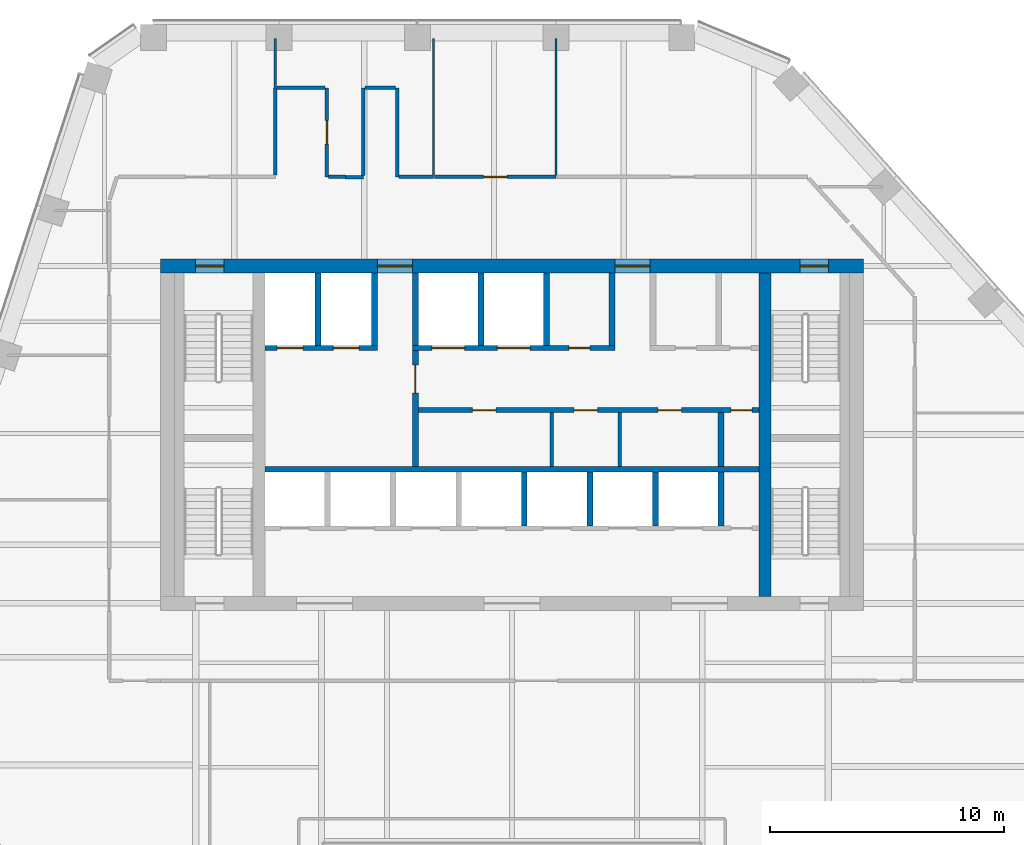
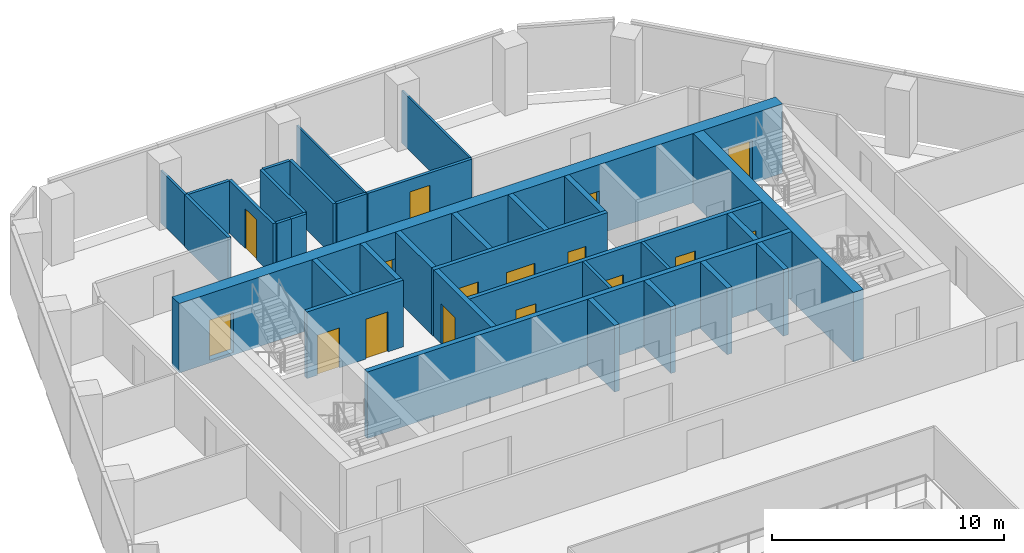
# One storey, part 10 of 15: 33 walls, 16 doors, 16 openings.
"""IFC4 building model written with IfcOpenShell, lengths in metres."""

from ifc_helpers import new_model, si_unit, direction, frame, frame_2d, origin, place, context, subcontext, project, spatial, rectangle, extrude, material, layer, layer_set, type_object, element, fill, save


model = new_model("IFC4")

# Units and contexts
model_context = context("Model", 3, precision=1e-05, world=origin(), true_north=direction((0.0, 1.0)))
body_context = subcontext(model_context, "Body", "Model", "MODEL_VIEW")
ifc_project = project(units=[si_unit("LENGTHUNIT", "METRE"), si_unit("AREAUNIT", "SQUARE_METRE"), si_unit("VOLUMEUNIT", "CUBIC_METRE"), si_unit("PLANEANGLEUNIT", "RADIAN"), si_unit("MASSUNIT", "GRAM", prefix="KILO")], contexts=[model_context])

# Site, building, storey
site_placement = place(None, origin())
site = spatial("IfcSite", under=ifc_project, at=site_placement, CompositionType="ELEMENT")
building_placement = place(site_placement, origin())
building = spatial("IfcBuilding", under=site, at=building_placement, Name="Isthmus Gate Tower", CompositionType="ELEMENT")
storey_placement = place(building_placement, frame((0.0, 0.0, 227.25)))
storey = spatial("IfcBuildingStorey", under=building, at=storey_placement, Name="L57", CompositionType="ELEMENT", Elevation=227.25)

# Wall, opening, door
ifc_material_1 = material(Name="Gypsum board on steel studs, fire-rated", Category="steel")
ifc_layer_1 = layer(ifc_material_1, 0.14990234375)
ifc_layer_set_1 = layer_set([ifc_layer_1], Name="CORRIDOR WALL 150 60 MIN")
wall_type_1 = type_object("IfcWallType", Name="CORRIDOR WALL 150 60 MIN", PredefinedType="PARTITIONING", material=ifc_layer_set_1)
wall_1_placement = place(storey_placement, frame((-7.89990234375, 22.300048828125, 0.0), z_axis=(0.0, 0.0, 1.0), x_axis=(0.0, -1.0, 0.0)))
wall_1 = element("IfcWall", 1, at=wall_1_placement, inside=storey, type_object=wall_type_1, Name="L57 Corridor Wall 150 60 Min", PredefinedType="PARTITIONING", context=body_context, shape_type="SweptSolid", body=[
    extrude(rectangle(XDim=3.800048828125, YDim=0.14990234375, at=frame_2d((1.89990234375, 0.0))), origin(), (0.0, 0.0, 1.0), 2.750732421875),
])
opening_1_placement = place(wall_1_placement, frame((1.39990234375, 0.0, 0.0)))
opening_1 = element("IfcOpeningElement", 2, at=opening_1_placement, cuts=wall_1, Name="Opening DT-T5B-02", PredefinedType="OPENING", context=body_context, shape_type="SweptSolid", body=[
    extrude(rectangle(XDim=1.0, YDim=2.10009765625, at=frame_2d((0.5, 1.050048828125))), frame((0.0, 0.0849609375, 0.0), z_axis=(0.0, -1.0, 0.0), x_axis=(1.0, 0.0, 0.0)), (0.0, 0.0, 1.0), 0.169921875),
])
ifc_material_2 = material(Name="Solid core timber door leaf, fire-rated", Category="wood")
door_type_1 = type_object("IfcDoorType", Name="FIRE DOOR ROOM 1000 X 2100 60 MIN", OperationType="SINGLE_SWING_LEFT", PredefinedType="DOOR", material=ifc_material_2)
door_1_placement = place(opening_1_placement, origin())
door_1 = element("IfcDoor", 3, at=door_1_placement, inside=storey, type_object=door_type_1, Name="L57 room door", OperationType="SINGLE_SWING_RIGHT", OverallHeight=2.10009765625, OverallWidth=1.0, PredefinedType="DOOR", context=body_context, shape_type="SweptSolid", body=[
    extrude(rectangle(XDim=1.0, YDim=2.10009765625, at=frame_2d((0.5, 1.050048828125))), frame((0.0, 0.02490234375, 0.0), z_axis=(0.0, -1.0, 0.0), x_axis=(1.0, 0.0, 0.0)), (0.0, 0.0, 1.0), 0.050048828125),
])
fill(opening_1, door_1)

# Walls
wall_2_placement = place(storey_placement, frame((-4.89990234375, 22.300048828125, 0.0), z_axis=(0.0, 0.0, 1.0), x_axis=(0.0, -1.0, 0.0)))
element("IfcWall", 4, at=wall_2_placement, inside=storey, type_object=wall_type_1, Name="L57 Corridor Wall 150 60 Min", PredefinedType="PARTITIONING", context=body_context, shape_type="SweptSolid", body=[
    extrude(rectangle(XDim=3.800048828125, YDim=0.14990234375, at=frame_2d((1.89990234375, 0.0))), origin(), (0.0, 0.0, 1.0), 2.750732421875),
])
wall_3_placement = place(storey_placement, frame((-10.10009765625, 18.574951171875, 0.0), z_axis=(0.0, 0.0, 1.0), x_axis=(0.0, 1.0, 0.0)))
element("IfcWall", 5, at=wall_3_placement, inside=storey, type_object=wall_type_1, Name="L57 Corridor Wall 150 60 Min", PredefinedType="PARTITIONING", context=body_context, shape_type="SweptSolid", body=[
    extrude(rectangle(XDim=3.72509765625, YDim=0.14990234375, at=frame_2d((1.862548828125, 0.0))), origin(), (0.0, 0.0, 1.0), 2.750732421875),
])
wall_4_placement = place(storey_placement, frame((-10.02490234375, 22.300048828125, 0.0), z_axis=(0.0, 0.0, 1.0), x_axis=(1.0, 0.0, 0.0)))
element("IfcWall", 6, at=wall_4_placement, inside=storey, type_object=wall_type_1, Name="L57 Corridor Wall 150 60 Min", PredefinedType="PARTITIONING", context=body_context, shape_type="SweptSolid", body=[
    extrude(rectangle(XDim=2.0498046875, YDim=0.14990234375, at=frame_2d((1.02490234375, 0.0))), origin(), (0.0, 0.0, 1.0), 2.750732421875),
])
wall_5_placement = place(storey_placement, frame((-7.824951171875, 18.5, 0.0), z_axis=(0.0, 0.0, 1.0), x_axis=(1.0, 0.0, 0.0)))
element("IfcWall", 7, at=wall_5_placement, inside=storey, type_object=wall_type_1, Name="L57 Corridor Wall 150 60 Min", PredefinedType="PARTITIONING", context=body_context, shape_type="SweptSolid", body=[
    extrude(rectangle(XDim=0.722900390625, YDim=0.14990234375, at=frame_2d((0.361328125, 0.0))), origin(), (0.0, 0.0, 1.0), 2.750732421875),
])
wall_6_placement = place(storey_placement, frame((-7.10205078125, 18.498046875, 0.0), z_axis=(0.0, 0.0, 1.0), x_axis=(1.0, 0.0, 0.0)))
element("IfcWall", 8, at=wall_6_placement, inside=storey, type_object=wall_type_1, Name="L57 Corridor Wall 150 60 Min", PredefinedType="PARTITIONING", context=body_context, shape_type="SweptSolid", body=[
    extrude(rectangle(XDim=0.754150390625, YDim=0.14990234375, at=frame_2d((0.376953125, 0.0))), origin(), (0.0, 0.0, 1.0), 2.750732421875),
])
wall_7_placement = place(storey_placement, frame((-6.347900390625, 18.572998046875, 0.0), z_axis=(0.0, 0.0, 1.0), x_axis=(0.0, 1.0, 0.0)))
element("IfcWall", 9, at=wall_7_placement, inside=storey, type_object=wall_type_1, Name="L57 Corridor Wall 150 60 Min", PredefinedType="PARTITIONING", context=body_context, shape_type="SweptSolid", body=[
    extrude(rectangle(XDim=3.72705078125, YDim=0.14990234375, at=frame_2d((1.863525390625, 0.0))), origin(), (0.0, 0.0, 1.0), 2.750732421875),
])
wall_8_placement = place(storey_placement, frame((-6.27294921875, 22.300048828125, 0.0), z_axis=(0.0, 0.0, 1.0), x_axis=(1.0, 0.0, 0.0)))
element("IfcWall", 10, at=wall_8_placement, inside=storey, type_object=wall_type_1, Name="L57 Corridor Wall 150 60 Min", PredefinedType="PARTITIONING", context=body_context, shape_type="SweptSolid", body=[
    extrude(rectangle(XDim=1.2978515625, YDim=0.14990234375, at=frame_2d((0.64892578125, 0.0))), origin(), (0.0, 0.0, 1.0), 2.750732421875),
])
wall_9_placement = place(storey_placement, frame((-4.824951171875, 18.5, 0.0), z_axis=(0.0, 0.0, 1.0), x_axis=(1.0, 0.0, 0.0)))
element("IfcWall", 11, at=wall_9_placement, inside=storey, type_object=wall_type_1, Name="L57 Corridor Wall 150 60 Min", PredefinedType="PARTITIONING", context=body_context, shape_type="SweptSolid", body=[
    extrude(rectangle(XDim=1.474853515625, YDim=0.14990234375, at=frame_2d((0.7373046875, 0.0))), origin(), (0.0, 0.0, 1.0), 2.750732421875),
])

# Wall, opening, door
wall_10_placement = place(storey_placement, frame((-3.300048828125, 18.5, 0.0), z_axis=(0.0, 0.0, 1.0), x_axis=(1.0, 0.0, 0.0)))
wall_10 = element("IfcWall", 12, at=wall_10_placement, inside=storey, type_object=wall_type_1, Name="L57 Corridor Wall 150 60 Min", PredefinedType="PARTITIONING", context=body_context, shape_type="SweptSolid", body=[
    extrude(rectangle(XDim=5.18115234375, YDim=0.14990234375, at=frame_2d((2.590576171875, 0.0))), origin(), (0.0, 0.0, 1.0), 2.750732421875),
])
opening_2_placement = place(wall_10_placement, frame((2.090576171875, 0.0, 0.0)))
opening_2 = element("IfcOpeningElement", 13, at=opening_2_placement, cuts=wall_10, Name="Opening DT-T5B-03", PredefinedType="OPENING", context=body_context, shape_type="SweptSolid", body=[
    extrude(rectangle(XDim=1.0, YDim=2.10009765625, at=frame_2d((0.5, 1.050048828125))), frame((0.0, 0.0849609375, 0.0), z_axis=(0.0, -1.0, 0.0), x_axis=(1.0, 0.0, 0.0)), (0.0, 0.0, 1.0), 0.169921875),
])
door_2_placement = place(opening_2_placement, origin())
door_2 = element("IfcDoor", 14, at=door_2_placement, inside=storey, type_object=door_type_1, Name="L57 room door", OperationType="SINGLE_SWING_RIGHT", OverallHeight=2.10009765625, OverallWidth=1.0, PredefinedType="DOOR", context=body_context, shape_type="SweptSolid", body=[
    extrude(rectangle(XDim=1.0, YDim=2.10009765625, at=frame_2d((0.5, 1.050048828125))), frame((0.0, 0.02490234375, 0.0), z_axis=(0.0, -1.0, 0.0), x_axis=(1.0, 0.0, 0.0)), (0.0, 0.0, 1.0), 0.050048828125),
])
fill(opening_2, door_2)

ifc_material_3 = material(Name="Fire-rated blockwork masonry, 15 MPa", Category="masonry")
ifc_layer_2 = layer(ifc_material_3, 0.25)
ifc_layer_set_2 = layer_set([ifc_layer_2], Name="FIRE-FIGHTING LOBBY WALL 250 90 MIN")
wall_type_2 = type_object("IfcWallType", Name="FIRE-FIGHTING LOBBY WALL 250 90 MIN", PredefinedType="PARTITIONING", material=ifc_layer_set_2)
wall_11_placement = place(storey_placement, frame((-4.125, 6.14990234375, 0.0), z_axis=(0.0, 0.0, 1.0), x_axis=(0.0, 1.0, 0.0)))
wall_11 = element("IfcWall", 15, at=wall_11_placement, inside=storey, type_object=wall_type_2, Name="L57 FIRE-FIGHTING LOBBY WALL 250 90 MIN", PredefinedType="PARTITIONING", context=body_context, shape_type="SweptSolid", body=[
    extrude(rectangle(XDim=4.9501953125, YDim=0.25, at=frame_2d((2.47509765625, 0.0))), origin(), (0.0, 0.0, 1.0), 3.5),
])
opening_3_placement = place(wall_11_placement, frame((3.125, 0.0, 0.0)))
opening_3 = element("IfcOpeningElement", 16, at=opening_3_placement, cuts=wall_11, Name="Opening DC-A19-01", PredefinedType="OPENING", context=body_context, shape_type="SweptSolid", body=[
    extrude(rectangle(XDim=1.199951171875, YDim=2.10009765625, at=frame_2d((0.60009765625, 1.050048828125))), frame((0.0, 0.135009765625, 0.0), z_axis=(0.0, -1.0, 0.0), x_axis=(1.0, 0.0, 0.0)), (0.0, 0.0, 1.0), 0.27001953125),
])
ifc_material_4 = material(Name="Steel door leaf, fire-rated", Category="steel")
door_type_2 = type_object("IfcDoorType", Name="LOBBY FIRE DOOR 1200 X 2100 90 MIN", OperationType="DOUBLE_DOOR_SINGLE_SWING", PredefinedType="DOOR", material=ifc_material_4)
door_3_placement = place(opening_3_placement, origin())
door_3 = element("IfcDoor", 17, at=door_3_placement, inside=storey, type_object=door_type_2, Name="Fire-fighting Lobby Door", OperationType="SINGLE_SWING_LEFT", OverallHeight=2.10009765625, OverallWidth=1.199951171875, PredefinedType="DOOR", context=body_context, shape_type="SweptSolid", body=[
    extrude(rectangle(XDim=1.199951171875, YDim=2.10009765625, at=frame_2d((0.60009765625, 1.050048828125))), frame((0.0, 0.02490234375, 0.0), z_axis=(0.0, -1.0, 0.0), x_axis=(1.0, 0.0, 0.0)), (0.0, 0.0, 1.0), 0.050048828125),
])
fill(opening_3, door_3)

# Wall
ifc_material_5 = material(Name="Concrete f'c 50 MPa", Category="concrete")
ifc_layer_3 = layer(ifc_material_5, 0.5)
ifc_layer_set_3 = layer_set([ifc_layer_3], Name="RC CORE SPINE WALL 500 F'C 50")
wall_type_3 = type_object("IfcWallType", Name="RC CORE SPINE WALL 500 F'C 50", PredefinedType="SOLIDWALL", material=ifc_layer_set_3)
wall_12_placement = place(storey_placement, frame((10.800048828125, 0.60009765625, -0.14990234375), z_axis=(0.0, 0.0, 1.0), x_axis=(0.0, 1.0, 0.0)))
element("IfcWall", 18, at=wall_12_placement, inside=storey, type_object=wall_type_3, Name="str-corewall-L57-SPE", PredefinedType="SOLIDWALL", context=body_context, shape_type="SweptSolid", body=[
    extrude(rectangle(XDim=13.7998046875, YDim=0.5, at=frame_2d((6.89990234375, 0.0))), origin(), (0.0, 0.0, 1.0), 3.64990234375),
])

# Wall, openings, doors
ifc_material_6 = material(Name="Concrete f'c 50 MPa", Category="concrete")
ifc_layer_4 = layer(ifc_material_6, 0.60009765625)
ifc_layer_set_4 = layer_set([ifc_layer_4], Name="RC CORE WALL 600 F'C 50")
wall_type_4 = type_object("IfcWallType", Name="RC CORE WALL 600 F'C 50", PredefinedType="SOLIDWALL", material=ifc_layer_set_4)
wall_13_placement = place(storey_placement, frame((-15.0, 14.699951171875, -0.14990234375), z_axis=(0.0, 0.0, 1.0), x_axis=(1.0, 0.0, 0.0)))
wall_13 = element("IfcWall", 19, at=wall_13_placement, inside=storey, type_object=wall_type_4, Name="str-corewall-L57-N", PredefinedType="SOLIDWALL", context=body_context, shape_type="SweptSolid", body=[
    extrude(rectangle(XDim=30.0, YDim=0.60009765625, at=frame_2d((15.0, 0.0))), origin(), (0.0, 0.0, 1.0), 3.64990234375),
])
opening_4_placement = place(wall_13_placement, frame((9.25, 0.0, 0.14990234375)))
opening_4 = element("IfcOpeningElement", 20, at=opening_4_placement, cuts=wall_13, Name="Opening DC-A19-13", PredefinedType="OPENING", context=body_context, shape_type="SweptSolid", body=[
    extrude(rectangle(XDim=1.5, YDim=2.10009765625, at=frame_2d((0.75, 1.050048828125))), frame((0.0, 0.31005859375, 0.0), z_axis=(0.0, -1.0, 0.0), x_axis=(1.0, 0.0, 0.0)), (0.0, 0.0, 1.0), 0.6201171875),
])
opening_5_placement = place(wall_13_placement, frame((19.39990234375, 0.0, 0.14990234375)))
opening_5 = element("IfcOpeningElement", 21, at=opening_5_placement, cuts=wall_13, Name="Opening DC-A19-14", PredefinedType="OPENING", context=body_context, shape_type="SweptSolid", body=[
    extrude(rectangle(XDim=1.5, YDim=2.10009765625, at=frame_2d((0.75, 1.050048828125))), frame((0.0, 0.31005859375, 0.0), z_axis=(0.0, -1.0, 0.0), x_axis=(1.0, 0.0, 0.0)), (0.0, 0.0, 1.0), 0.6201171875),
])
opening_6_placement = place(wall_13_placement, frame((1.5, 0.0, 0.14990234375)))
opening_6 = element("IfcOpeningElement", 22, at=opening_6_placement, cuts=wall_13, Name="Opening DC-A19-15", PredefinedType="OPENING", context=body_context, shape_type="SweptSolid", body=[
    extrude(rectangle(XDim=1.199951171875, YDim=2.10009765625, at=frame_2d((0.60009765625, 1.050048828125))), frame((0.0, 0.31005859375, 0.0), z_axis=(0.0, -1.0, 0.0), x_axis=(1.0, 0.0, 0.0)), (0.0, 0.0, 1.0), 0.6201171875),
])
opening_7_placement = place(wall_13_placement, frame((27.300048828125, 0.0, 0.14990234375)))
opening_7 = element("IfcOpeningElement", 23, at=opening_7_placement, cuts=wall_13, Name="Opening DC-A19-16", PredefinedType="OPENING", context=body_context, shape_type="SweptSolid", body=[
    extrude(rectangle(XDim=1.199951171875, YDim=2.10009765625, at=frame_2d((0.60009765625, 1.050048828125))), frame((0.0, 0.31005859375, 0.0), z_axis=(0.0, -1.0, 0.0), x_axis=(1.0, 0.0, 0.0)), (0.0, 0.0, 1.0), 0.6201171875),
])
ifc_material_7 = material(Name="Steel door leaf, fire-rated", Category="steel")
door_type_3 = type_object("IfcDoorType", Name="LOBBY FIRE DOOR 1500 X 2100 60 MIN", OperationType="DOUBLE_DOOR_SINGLE_SWING", PredefinedType="DOOR", material=ifc_material_7)
door_4_placement = place(opening_5_placement, origin())
door_4 = element("IfcDoor", 24, at=door_4_placement, inside=storey, type_object=door_type_3, Name="Lobby Door PN-E", OperationType="DOUBLE_DOOR_SINGLE_SWING", OverallHeight=2.10009765625, OverallWidth=1.5, PredefinedType="DOOR", context=body_context, shape_type="SweptSolid", body=[
    extrude(rectangle(XDim=1.5, YDim=2.10009765625, at=frame_2d((0.75, 1.050048828125))), frame((0.0, 0.02490234375, 0.0), z_axis=(0.0, -1.0, 0.0), x_axis=(1.0, 0.0, 0.0)), (0.0, 0.0, 1.0), 0.050048828125),
])
fill(opening_5, door_4)
ifc_material_8 = material(Name="Steel door leaf, fire-rated", Category="steel")
door_type_4 = type_object("IfcDoorType", Name="LOBBY FIRE DOOR 1500 X 2100 90 MIN", OperationType="DOUBLE_DOOR_SINGLE_SWING", PredefinedType="DOOR", material=ifc_material_8)
door_5_placement = place(opening_4_placement, origin())
door_5 = element("IfcDoor", 25, at=door_5_placement, inside=storey, type_object=door_type_4, Name="Lobby Door PN-W", OperationType="DOUBLE_DOOR_SINGLE_SWING", OverallHeight=2.10009765625, OverallWidth=1.5, PredefinedType="DOOR", context=body_context, shape_type="SweptSolid", body=[
    extrude(rectangle(XDim=1.5, YDim=2.10009765625, at=frame_2d((0.75, 1.050048828125))), frame((0.0, 0.02490234375, 0.0), z_axis=(0.0, -1.0, 0.0), x_axis=(1.0, 0.0, 0.0)), (0.0, 0.0, 1.0), 0.050048828125),
])
fill(opening_4, door_5)
ifc_material_9 = material(Name="Steel door leaf, fire-rated", Category="steel")
door_type_5 = type_object("IfcDoorType", Name="STAIR FIRE DOOR 1200 X 2100 90 MIN", OperationType="SINGLE_SWING_LEFT", PredefinedType="DOOR", material=ifc_material_9)
door_6_placement = place(opening_6_placement, origin())
door_6 = element("IfcDoor", 26, at=door_6_placement, inside=storey, type_object=door_type_5, Name="Exit Stair 1 Door", OperationType="SINGLE_SWING_RIGHT", OverallHeight=2.10009765625, OverallWidth=1.199951171875, PredefinedType="DOOR", context=body_context, shape_type="SweptSolid", body=[
    extrude(rectangle(XDim=1.199951171875, YDim=2.10009765625, at=frame_2d((0.60009765625, 1.050048828125))), frame((0.0, 0.02490234375, 0.0), z_axis=(0.0, -1.0, 0.0), x_axis=(1.0, 0.0, 0.0)), (0.0, 0.0, 1.0), 0.050048828125),
])
fill(opening_6, door_6)
door_7_placement = place(opening_7_placement, origin())
door_7 = element("IfcDoor", 27, at=door_7_placement, inside=storey, type_object=door_type_5, Name="Exit Stair 2 Door", OperationType="SINGLE_SWING_LEFT", OverallHeight=2.10009765625, OverallWidth=1.199951171875, PredefinedType="DOOR", context=body_context, shape_type="SweptSolid", body=[
    extrude(rectangle(XDim=1.199951171875, YDim=2.10009765625, at=frame_2d((0.60009765625, 1.050048828125))), frame((0.0, 0.02490234375, 0.0), z_axis=(0.0, -1.0, 0.0), x_axis=(1.0, 0.0, 0.0)), (0.0, 0.0, 1.0), 0.050048828125),
])
fill(opening_7, door_7)

# Walls
ifc_material_10 = material(Name="Gypsum board on steel studs, fire-rated", Category="steel")
ifc_layer_5 = layer(ifc_material_10, 0.10009765625)
ifc_layer_set_5 = layer_set([ifc_layer_5], Name="ROOM PARTITION 100 30 MIN")
wall_type_5 = type_object("IfcWallType", Name="ROOM PARTITION 100 30 MIN", PredefinedType="PARTITIONING", material=ifc_layer_set_5)
wall_14_placement = place(storey_placement, frame((-10.10205078125, 22.300048828125, 0.0), z_axis=(0.0, 0.0, 1.0), x_axis=(0.0, 1.0, 0.0)))
element("IfcWall", 28, at=wall_14_placement, inside=storey, type_object=wall_type_5, Name="L57 Room Partition 100 30 Min", PredefinedType="PARTITIONING", context=body_context, shape_type="SweptSolid", body=[
    extrude(rectangle(XDim=2.099853515625, YDim=0.10009765625, at=frame_2d((1.0498046875, 0.0))), origin(), (0.0, 0.0, 1.0), 2.750732421875),
])
for number, where, z_axis, x_axis, name in (
    (29, (-3.35009765625, 18.574951171875, 0.0), (0.0, 0.0, 1.0), (0.0, 1.0, 0.0), "L57 Room Partition 100 30 Min"),
    (30, (1.881103515625, 18.574951171875, 0.0), (0.0, 0.0, 1.0), (0.0, 1.0, 0.0), "L57 Room Partition 100 30 Min"),
):
    element("IfcWall", number, at=place(storey_placement, frame(where, z_axis=z_axis, x_axis=x_axis)), inside=storey, type_object=wall_type_5, Name=name, PredefinedType="PARTITIONING", context=body_context, shape_type="SweptSolid", body=[
        extrude(rectangle(XDim=5.824951171875, YDim=0.10009765625, at=frame_2d((2.91259765625, 0.0))), origin(), (0.0, 0.0, 1.0), 2.750732421875),
    ])
ifc_material_11 = material(Name="Gypsum board on steel studs, fire-rated", Category="steel")
ifc_layer_6 = layer(ifc_material_11, 0.14990234375)
ifc_layer_set_6 = layer_set([ifc_layer_6], Name="ROOM PARTITION 150 60 MIN")
wall_type_6 = type_object("IfcWallType", Name="ROOM PARTITION 150 60 MIN", PredefinedType="PARTITIONING", material=ifc_layer_set_6)
for number, where, z_axis, x_axis, name in (
    (31, (1.699951171875, 6.14990234375, 0.0), (0.0, 0.0, 1.0), (0.0, 1.0, 0.0), "L57 ROOM PARTITION 150 60 MIN"),
    (32, (4.60009765625, 6.14990234375, 0.0), (0.0, 0.0, 1.0), (0.0, 1.0, 0.0), "L57 ROOM PARTITION 150 60 MIN"),
):
    element("IfcWall", number, at=place(storey_placement, frame(where, z_axis=z_axis, x_axis=x_axis)), inside=storey, type_object=wall_type_6, Name=name, PredefinedType="PARTITIONING", context=body_context, shape_type="SweptSolid", body=[
        extrude(rectangle(XDim=2.300048828125, YDim=0.14990234375, at=frame_2d((1.14990234375, 0.0))), origin(), (0.0, 0.0, 1.0), 3.5),
    ])

# Wall, openings, doors
ifc_material_12 = material(Name="Fire-rated blockwork masonry, 15 MPa", Category="masonry")
ifc_layer_7 = layer(ifc_material_12, 0.199951171875)
ifc_layer_set_7 = layer_set([ifc_layer_7], Name="SHAFT FRONT WALL 200 120 MIN")
wall_type_7 = type_object("IfcWallType", Name="SHAFT FRONT WALL 200 120 MIN", PredefinedType="PARTITIONING", material=ifc_layer_set_7)
wall_15_placement = place(storey_placement, frame((-4.125, 8.550048828125, 0.0), z_axis=(0.0, 0.0, 1.0), x_axis=(1.0, 0.0, 0.0)))
wall_15 = element("IfcWall", 33, at=wall_15_placement, inside=storey, type_object=wall_type_7, Name="L57 SHAFT FRONT WALL 200 120 MIN", PredefinedType="PARTITIONING", context=body_context, shape_type="SweptSolid", body=[
    extrude(rectangle(XDim=14.675048828125, YDim=0.199951171875, at=frame_2d((7.33740234375, 0.0))), origin(), (0.0, 0.0, 1.0), 3.5),
])
opening_8_placement = place(wall_15_placement, frame((2.4375, 0.0, 0.0)))
opening_8 = element("IfcOpeningElement", 34, at=opening_8_placement, cuts=wall_15, Name="Opening DC-A19-03", PredefinedType="OPENING", context=body_context, shape_type="SweptSolid", body=[
    extrude(rectangle(XDim=1.0, YDim=2.10009765625, at=frame_2d((0.5, 1.050048828125))), frame((0.0, 0.10986328125, 0.0), z_axis=(0.0, -1.0, 0.0), x_axis=(1.0, 0.0, 0.0)), (0.0, 0.0, 1.0), 0.219970703125),
])
opening_9_placement = place(wall_15_placement, frame((6.77490234375, 0.0, 0.0)))
opening_9 = element("IfcOpeningElement", 35, at=opening_9_placement, cuts=wall_15, Name="Opening DC-A19-04", PredefinedType="OPENING", context=body_context, shape_type="SweptSolid", body=[
    extrude(rectangle(XDim=1.0, YDim=2.10009765625, at=frame_2d((0.5, 1.050048828125))), frame((0.0, 0.10986328125, 0.0), z_axis=(0.0, -1.0, 0.0), x_axis=(1.0, 0.0, 0.0)), (0.0, 0.0, 1.0), 0.219970703125),
])
opening_10_placement = place(wall_15_placement, frame((10.362548828125, 0.0, 0.0)))
opening_10 = element("IfcOpeningElement", 36, at=opening_10_placement, cuts=wall_15, Name="Opening DC-A19-05", PredefinedType="OPENING", context=body_context, shape_type="SweptSolid", body=[
    extrude(rectangle(XDim=1.0, YDim=2.10009765625, at=frame_2d((0.5, 1.050048828125))), frame((0.0, 0.10986328125, 0.0), z_axis=(0.0, -1.0, 0.0), x_axis=(1.0, 0.0, 0.0)), (0.0, 0.0, 1.0), 0.219970703125),
])
opening_11_placement = place(wall_15_placement, frame((13.47509765625, 0.0, 0.0)))
opening_11 = element("IfcOpeningElement", 37, at=opening_11_placement, cuts=wall_15, Name="Opening DC-A19-06", PredefinedType="OPENING", context=body_context, shape_type="SweptSolid", body=[
    extrude(rectangle(XDim=0.89990234375, YDim=2.10009765625, at=frame_2d((0.449951171875, 1.050048828125))), frame((0.0, 0.10986328125, 0.0), z_axis=(0.0, -1.0, 0.0), x_axis=(1.0, 0.0, 0.0)), (0.0, 0.0, 1.0), 0.219970703125),
])
ifc_material_13 = material(Name="Steel door leaf, fire-rated", Category="steel")
door_type_6 = type_object("IfcDoorType", Name="FIRE DOOR 1000 X 2100 60 MIN", OperationType="SINGLE_SWING_LEFT", PredefinedType="DOOR", material=ifc_material_13)
door_8_placement = place(opening_8_placement, origin())
door_8 = element("IfcDoor", 38, at=door_8_placement, inside=storey, type_object=door_type_6, Name="WC Women Door", OperationType="SINGLE_SWING_LEFT", OverallHeight=2.10009765625, OverallWidth=1.0, PredefinedType="DOOR", context=body_context, shape_type="SweptSolid", body=[
    extrude(rectangle(XDim=1.0, YDim=2.10009765625, at=frame_2d((0.5, 1.050048828125))), frame((0.0, 0.02490234375, 0.0), z_axis=(0.0, -1.0, 0.0), x_axis=(1.0, 0.0, 0.0)), (0.0, 0.0, 1.0), 0.050048828125),
])
fill(opening_8, door_8)
door_9_placement = place(opening_9_placement, origin())
door_9 = element("IfcDoor", 39, at=door_9_placement, inside=storey, type_object=door_type_6, Name="Accessible WC Door", OperationType="SINGLE_SWING_RIGHT", OverallHeight=2.10009765625, OverallWidth=1.0, PredefinedType="DOOR", context=body_context, shape_type="SweptSolid", body=[
    extrude(rectangle(XDim=1.0, YDim=2.10009765625, at=frame_2d((0.5, 1.050048828125))), frame((0.0, 0.02490234375, 0.0), z_axis=(0.0, -1.0, 0.0), x_axis=(1.0, 0.0, 0.0)), (0.0, 0.0, 1.0), 0.050048828125),
])
fill(opening_9, door_9)
door_10_placement = place(opening_10_placement, origin())
door_10 = element("IfcDoor", 40, at=door_10_placement, inside=storey, type_object=door_type_6, Name="WC Men Door", OperationType="SINGLE_SWING_LEFT", OverallHeight=2.10009765625, OverallWidth=1.0, PredefinedType="DOOR", context=body_context, shape_type="SweptSolid", body=[
    extrude(rectangle(XDim=1.0, YDim=2.10009765625, at=frame_2d((0.5, 1.050048828125))), frame((0.0, 0.02490234375, 0.0), z_axis=(0.0, -1.0, 0.0), x_axis=(1.0, 0.0, 0.0)), (0.0, 0.0, 1.0), 0.050048828125),
])
fill(opening_10, door_10)
ifc_material_14 = material(Name="Steel door leaf, fire-rated", Category="steel")
door_type_7 = type_object("IfcDoorType", Name="RISER FIRE DOOR 900 X 2100 90 MIN", OperationType="SINGLE_SWING_LEFT", PredefinedType="DOOR", material=ifc_material_14)
door_11_placement = place(opening_11_placement, origin())
door_11 = element("IfcDoor", 41, at=door_11_placement, inside=storey, type_object=door_type_7, Name="Riser Door", OperationType="SINGLE_SWING_RIGHT", OverallHeight=2.10009765625, OverallWidth=0.89990234375, PredefinedType="DOOR", context=body_context, shape_type="SweptSolid", body=[
    extrude(rectangle(XDim=0.89990234375, YDim=2.10009765625, at=frame_2d((0.449951171875, 1.050048828125))), frame((0.0, 0.02490234375, 0.0), z_axis=(0.0, -1.0, 0.0), x_axis=(1.0, 0.0, 0.0)), (0.0, 0.0, 1.0), 0.050048828125),
])
fill(opening_11, door_11)

wall_16_placement = place(storey_placement, frame((-10.550048828125, 11.199951171875, 0.0), z_axis=(0.0, 0.0, 1.0), x_axis=(1.0, 0.0, 0.0)))
wall_16 = element("IfcWall", 42, at=wall_16_placement, inside=storey, type_object=wall_type_7, Name="L57 SHAFT FRONT WALL 200 120 MIN", PredefinedType="PARTITIONING", context=body_context, shape_type="SweptSolid", body=[
    extrude(rectangle(XDim=4.800048828125, YDim=0.199951171875, at=frame_2d((2.39990234375, 0.0))), origin(), (0.0, 0.0, 1.0), 3.5),
])
opening_12_placement = place(wall_16_placement, frame((0.52490234375, 0.0, 0.0)))
opening_12 = element("IfcOpeningElement", 43, at=opening_12_placement, cuts=wall_16, Name="Opening LD-LF1", PredefinedType="OPENING", context=body_context, shape_type="SweptSolid", body=[
    extrude(rectangle(XDim=1.10009765625, YDim=2.10009765625, at=frame_2d((0.550048828125, 1.050048828125))), frame((0.0, 0.10986328125, 0.0), z_axis=(0.0, -1.0, 0.0), x_axis=(1.0, 0.0, 0.0)), (0.0, 0.0, 1.0), 0.219970703125),
])
opening_13_placement = place(wall_16_placement, frame((2.925048828125, 0.0, 0.0)))
opening_13 = element("IfcOpeningElement", 44, at=opening_13_placement, cuts=wall_16, Name="Opening LD-LF2", PredefinedType="OPENING", context=body_context, shape_type="SweptSolid", body=[
    extrude(rectangle(XDim=1.10009765625, YDim=2.10009765625, at=frame_2d((0.550048828125, 1.050048828125))), frame((0.0, 0.10986328125, 0.0), z_axis=(0.0, -1.0, 0.0), x_axis=(1.0, 0.0, 0.0)), (0.0, 0.0, 1.0), 0.219970703125),
])
ifc_material_15 = material(Name="Stainless steel sliding leaf", Category="steel")
door_type_8 = type_object("IfcDoorType", Name="LIFT LANDING FIRE DOOR 1100 X 2100 90 MIN", OperationType="DOUBLE_DOOR_SLIDING", PredefinedType="DOOR", material=ifc_material_15)
door_12_placement = place(opening_12_placement, origin())
door_12 = element("IfcDoor", 45, at=door_12_placement, inside=storey, type_object=door_type_8, Name="Lift Landing Door LF1", OperationType="DOUBLE_DOOR_SLIDING", OverallHeight=2.10009765625, OverallWidth=1.10009765625, PredefinedType="DOOR", context=body_context, shape_type="SweptSolid", body=[
    extrude(rectangle(XDim=1.10009765625, YDim=2.10009765625, at=frame_2d((0.550048828125, 1.050048828125))), frame((0.0, 0.02490234375, 0.0), z_axis=(0.0, -1.0, 0.0), x_axis=(1.0, 0.0, 0.0)), (0.0, 0.0, 1.0), 0.050048828125),
])
fill(opening_12, door_12)
door_13_placement = place(opening_13_placement, origin())
door_13 = element("IfcDoor", 46, at=door_13_placement, inside=storey, type_object=door_type_8, Name="Lift Landing Door LF2", OperationType="DOUBLE_DOOR_SLIDING", OverallHeight=2.10009765625, OverallWidth=1.10009765625, PredefinedType="DOOR", context=body_context, shape_type="SweptSolid", body=[
    extrude(rectangle(XDim=1.10009765625, YDim=2.10009765625, at=frame_2d((0.550048828125, 1.050048828125))), frame((0.0, 0.02490234375, 0.0), z_axis=(0.0, -1.0, 0.0), x_axis=(1.0, 0.0, 0.0)), (0.0, 0.0, 1.0), 0.050048828125),
])
fill(opening_13, door_13)

wall_17_placement = place(storey_placement, frame((-4.25, 11.199951171875, 0.0), z_axis=(0.0, 0.0, 1.0), x_axis=(1.0, 0.0, 0.0)))
wall_17 = element("IfcWall", 47, at=wall_17_placement, inside=storey, type_object=wall_type_7, Name="L57 SHAFT FRONT WALL 200 120 MIN", PredefinedType="PARTITIONING", context=body_context, shape_type="SweptSolid", body=[
    extrude(rectangle(XDim=8.64990234375, YDim=0.199951171875, at=frame_2d((4.324951171875, 0.0))), origin(), (0.0, 0.0, 1.0), 3.5),
])
opening_14_placement = place(wall_17_placement, frame((0.824951171875, 0.0, 0.0)))
opening_14 = element("IfcOpeningElement", 48, at=opening_14_placement, cuts=wall_17, Name="Opening LD-LV1", PredefinedType="OPENING", context=body_context, shape_type="SweptSolid", body=[
    extrude(rectangle(XDim=1.39990234375, YDim=2.10009765625, at=frame_2d((0.699951171875, 1.050048828125))), frame((0.0, 0.10986328125, 0.0), z_axis=(0.0, -1.0, 0.0), x_axis=(1.0, 0.0, 0.0)), (0.0, 0.0, 1.0), 0.219970703125),
])
opening_15_placement = place(wall_17_placement, frame((3.625, 0.0, 0.0)))
opening_15 = element("IfcOpeningElement", 49, at=opening_15_placement, cuts=wall_17, Name="Opening LD-LV2", PredefinedType="OPENING", context=body_context, shape_type="SweptSolid", body=[
    extrude(rectangle(XDim=1.39990234375, YDim=2.10009765625, at=frame_2d((0.699951171875, 1.050048828125))), frame((0.0, 0.10986328125, 0.0), z_axis=(0.0, -1.0, 0.0), x_axis=(1.0, 0.0, 0.0)), (0.0, 0.0, 1.0), 0.219970703125),
])
opening_16_placement = place(wall_17_placement, frame((6.675048828125, 0.0, 0.0)))
opening_16 = element("IfcOpeningElement", 50, at=opening_16_placement, cuts=wall_17, Name="Opening DC-A19-07", PredefinedType="OPENING", context=body_context, shape_type="SweptSolid", body=[
    extrude(rectangle(XDim=0.89990234375, YDim=2.10009765625, at=frame_2d((0.449951171875, 1.050048828125))), frame((0.0, 0.10986328125, 0.0), z_axis=(0.0, -1.0, 0.0), x_axis=(1.0, 0.0, 0.0)), (0.0, 0.0, 1.0), 0.219970703125),
])
ifc_material_16 = material(Name="Steel door leaf, fire-rated", Category="steel")
door_type_9 = type_object("IfcDoorType", Name="FIRE DOOR 900 X 2100 60 MIN", OperationType="SINGLE_SWING_LEFT", PredefinedType="DOOR", material=ifc_material_16)
door_14_placement = place(opening_16_placement, origin())
door_14 = element("IfcDoor", 51, at=door_14_placement, inside=storey, type_object=door_type_9, Name="Comms Room Door", OperationType="SINGLE_SWING_LEFT", OverallHeight=2.10009765625, OverallWidth=0.89990234375, PredefinedType="DOOR", context=body_context, shape_type="SweptSolid", body=[
    extrude(rectangle(XDim=0.89990234375, YDim=2.10009765625, at=frame_2d((0.449951171875, 1.050048828125))), frame((0.0, 0.02490234375, 0.0), z_axis=(0.0, -1.0, 0.0), x_axis=(1.0, 0.0, 0.0)), (0.0, 0.0, 1.0), 0.050048828125),
])
fill(opening_16, door_14)
ifc_material_17 = material(Name="Stainless steel sliding leaf", Category="steel")
door_type_10 = type_object("IfcDoorType", Name="LIFT LANDING FIRE DOOR 1400 X 2100 90 MIN", OperationType="DOUBLE_DOOR_SLIDING", PredefinedType="DOOR", material=ifc_material_17)
door_15_placement = place(opening_14_placement, origin())
door_15 = element("IfcDoor", 52, at=door_15_placement, inside=storey, type_object=door_type_10, Name="Lift Landing Door LV1", OperationType="DOUBLE_DOOR_SLIDING", OverallHeight=2.10009765625, OverallWidth=1.39990234375, PredefinedType="DOOR", context=body_context, shape_type="SweptSolid", body=[
    extrude(rectangle(XDim=1.39990234375, YDim=2.10009765625, at=frame_2d((0.699951171875, 1.050048828125))), frame((0.0, 0.02490234375, 0.0), z_axis=(0.0, -1.0, 0.0), x_axis=(1.0, 0.0, 0.0)), (0.0, 0.0, 1.0), 0.050048828125),
])
fill(opening_14, door_15)
door_16_placement = place(opening_15_placement, origin())
door_16 = element("IfcDoor", 53, at=door_16_placement, inside=storey, type_object=door_type_10, Name="Lift Landing Door LV2", OperationType="DOUBLE_DOOR_SLIDING", OverallHeight=2.10009765625, OverallWidth=1.39990234375, PredefinedType="DOOR", context=body_context, shape_type="SweptSolid", body=[
    extrude(rectangle(XDim=1.39990234375, YDim=2.10009765625, at=frame_2d((0.699951171875, 1.050048828125))), frame((0.0, 0.02490234375, 0.0), z_axis=(0.0, -1.0, 0.0), x_axis=(1.0, 0.0, 0.0)), (0.0, 0.0, 1.0), 0.050048828125),
])
fill(opening_15, door_16)

# Walls
ifc_material_18 = material(Name="Fire-rated blockwork masonry, 15 MPa", Category="masonry")
ifc_layer_8 = layer(ifc_material_18, 0.25)
ifc_layer_set_8 = layer_set([ifc_layer_8], Name="SHAFT WALL 250 120 MIN")
wall_type_8 = type_object("IfcWallType", Name="SHAFT WALL 250 120 MIN", PredefinedType="PARTITIONING", material=ifc_layer_set_8)
wall_18_placement = place(storey_placement, frame((-10.550048828125, 6.02490234375, 0.0), z_axis=(0.0, 0.0, 1.0), x_axis=(1.0, 0.0, 0.0)))
element("IfcWall", 54, at=wall_18_placement, inside=storey, type_object=wall_type_8, Name="L57 SHAFT WALL 250 120 MIN", PredefinedType="PARTITIONING", context=body_context, shape_type="SweptSolid", body=[
    extrude(rectangle(XDim=21.10009765625, YDim=0.25, at=frame_2d((10.550048828125, 0.0))), origin(), (0.0, 0.0, 1.0), 3.5),
])
for number, where, z_axis, x_axis, name in (
    (55, (0.52490234375, 3.60009765625, 0.0), (0.0, 0.0, 1.0), (0.0, 1.0, 0.0), "L57 SHAFT WALL 250 120 MIN"),
    (56, (3.324951171875, 3.60009765625, 0.0), (0.0, 0.0, 1.0), (0.0, 1.0, 0.0), "L57 SHAFT WALL 250 120 MIN"),
    (57, (6.125, 3.60009765625, 0.0), (0.0, 0.0, 1.0), (0.0, 1.0, 0.0), "L57 SHAFT WALL 250 120 MIN"),
    (58, (8.925048828125, 3.60009765625, 0.0), (0.0, 0.0, 1.0), (0.0, 1.0, 0.0), "L57 SHAFT WALL 250 120 MIN"),
):
    element("IfcWall", number, at=place(storey_placement, frame(where, z_axis=z_axis, x_axis=x_axis)), inside=storey, type_object=wall_type_8, Name=name, PredefinedType="PARTITIONING", context=body_context, shape_type="SweptSolid", body=[
        extrude(rectangle(XDim=2.2998046875, YDim=0.25, at=frame_2d((1.14990234375, 0.0))), origin(), (0.0, 0.0, 1.0), 3.5),
    ])
wall_19_placement = place(storey_placement, frame((8.925048828125, 6.14990234375, 0.0), z_axis=(0.0, 0.0, 1.0), x_axis=(0.0, 1.0, 0.0)))
element("IfcWall", 59, at=wall_19_placement, inside=storey, type_object=wall_type_8, Name="L57 SHAFT WALL 250 120 MIN", PredefinedType="PARTITIONING", context=body_context, shape_type="SweptSolid", body=[
    extrude(rectangle(XDim=2.300048828125, YDim=0.25, at=frame_2d((1.14990234375, 0.0))), origin(), (0.0, 0.0, 1.0), 3.5),
])
for number, where, z_axis, x_axis, name in (
    (60, (-8.27490234375, 11.300048828125, 0.0), (0.0, 0.0, 1.0), (0.0, 1.0, 0.0), "L57 SHAFT WALL 250 120 MIN"),
    (61, (-5.875, 11.300048828125, 0.0), (0.0, 0.0, 1.0), (0.0, 1.0, 0.0), "L57 SHAFT WALL 250 120 MIN"),
    (62, (-4.125, 11.300048828125, 0.0), (0.0, 0.0, 1.0), (0.0, 1.0, 0.0), "L57 SHAFT WALL 250 120 MIN"),
    (63, (-1.324951171875, 11.300048828125, 0.0), (0.0, 0.0, 1.0), (0.0, 1.0, 0.0), "L57 SHAFT WALL 250 120 MIN"),
    (64, (1.47509765625, 11.300048828125, 0.0), (0.0, 0.0, 1.0), (0.0, 1.0, 0.0), "L57 SHAFT WALL 250 120 MIN"),
    (65, (4.27490234375, 11.300048828125, 0.0), (0.0, 0.0, 1.0), (0.0, 1.0, 0.0), "L57 SHAFT WALL 250 120 MIN"),
):
    element("IfcWall", number, at=place(storey_placement, frame(where, z_axis=z_axis, x_axis=x_axis)), inside=storey, type_object=wall_type_8, Name=name, PredefinedType="PARTITIONING", context=body_context, shape_type="SweptSolid", body=[
        extrude(rectangle(XDim=3.099853515625, YDim=0.25, at=frame_2d((1.5498046875, 0.0))), origin(), (0.0, 0.0, 1.0), 3.5),
    ])

save(model, "model.ifc")
